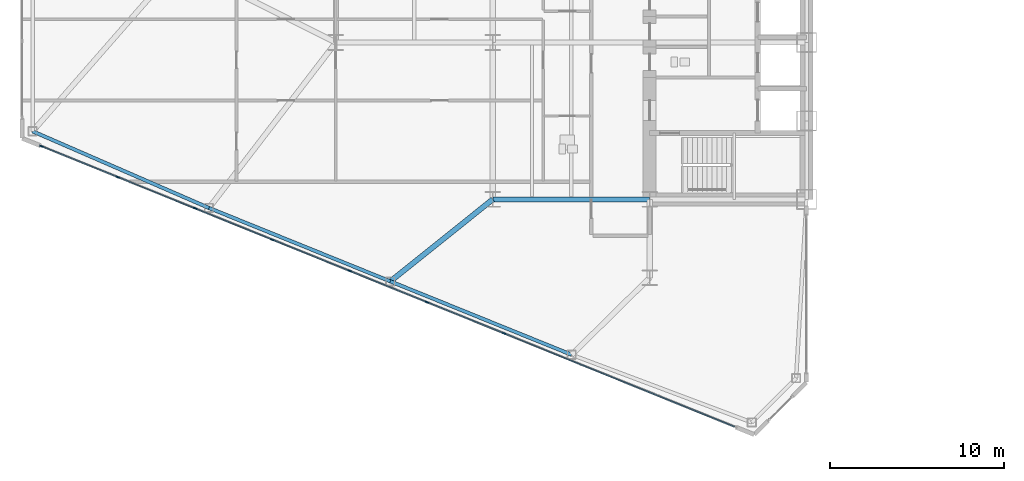
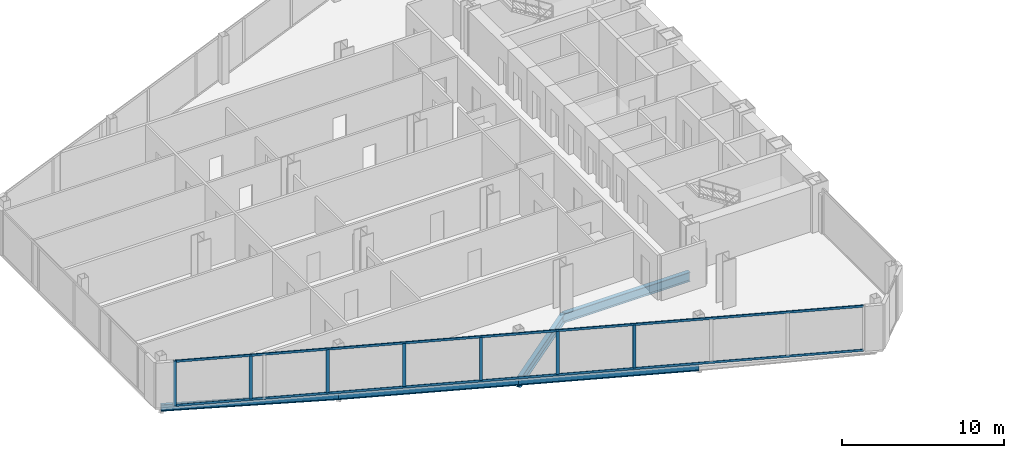
# One storey, part 3 of 25: 9 members, 5 beams, 1 element without a shape of its own.
"""IFC4 building model written with IfcOpenShell, lengths in metres."""

from ifc_helpers import new_model, si_unit, direction, frame, origin, origin_2d, place, context, subcontext, project, spatial, rectangle, i_section, extrude, source, transform, mapped, material, layer, layer_set, material_profile, profile_set, type_object, type_shapes, element, aggregate, save


model = new_model("IFC4")

# Units and contexts
model_context = context("Model", 3, precision=1e-05, world=origin(), true_north=direction((0.0, 1.0)))
body_context = subcontext(model_context, "Body", "Model", "MODEL_VIEW")
ifc_project = project(units=[si_unit("LENGTHUNIT", "METRE"), si_unit("AREAUNIT", "SQUARE_METRE"), si_unit("VOLUMEUNIT", "CUBIC_METRE"), si_unit("PLANEANGLEUNIT", "RADIAN"), si_unit("MASSUNIT", "GRAM", prefix="KILO")], contexts=[model_context])

# Site, building, storey
site_placement = place(None, origin())
site = spatial("IfcSite", under=ifc_project, at=site_placement, CompositionType="ELEMENT")
building_placement = place(site_placement, origin())
building = spatial("IfcBuilding", under=site, at=building_placement, Name="Seokmaru Belvedere", CompositionType="ELEMENT")
storey_placement = place(building_placement, frame((0.0, 0.0, 54.89990234375)))
storey = spatial("IfcBuildingStorey", under=building, at=storey_placement, Name="L14", CompositionType="ELEMENT", Elevation=54.89990234375)

# Beams
ifc_material_1 = material(Name="Steel SM355 (355 MPa)", Category="steel")
ifc_material_profile_1 = material_profile(ifc_material_1, i_section(OverallWidth=0.300048828125, OverallDepth=0.699951171875, WebThickness=0.012939453125, FlangeThickness=0.02392578125, at=origin_2d()), Name="H-700x300x13x24")
ifc_profile_set_1 = profile_set([ifc_material_profile_1], Name="Steel SM355 (355 MPa)")
beam_type_1 = type_object("IfcBeamType", Name="Primary Floor Girder H-700", PredefinedType="BEAM", material=ifc_profile_set_1)
shared_shape_1 = source(origin(), body_context, "Body", "SweptSolid", [
    extrude(i_section(OverallWidth=0.300048828125, OverallDepth=0.699951171875, WebThickness=0.012939453125, FlangeThickness=0.02392578125, at=origin_2d()), origin(), (0.0, 0.0, 1.0), 9.0),
])
beam_1_placement = place(storey_placement, frame((-45.5, -13.5, -0.56982421875), z_axis=(1.0, 0.0, 0.0), x_axis=(0.0, 1.0, 0.0)))
element("IfcBeam", 1, at=beam_1_placement, inside=storey, type_object=beam_type_1, Name="L14 W Wing Primary Girder 1", PredefinedType="BEAM", context=body_context, shape_type="MappedRepresentation", body=[
    mapped(shared_shape_1, transform((0.0, 0.0, 0.0), scale=1.0)),
])
ifc_material_profile_2 = material_profile(ifc_material_1, i_section(OverallWidth=0.199951171875, OverallDepth=0.5, WebThickness=0.010009765625, FlangeThickness=0.01611328125, at=origin_2d()), Name="H-500x200x10x16")
ifc_profile_set_2 = profile_set([ifc_material_profile_2], Name="Steel SM355 (355 MPa)")
beam_type_2 = type_object("IfcBeamType", Name="Perimeter Spandrel Beam H-500", PredefinedType="SPANDREL", material=ifc_profile_set_2)
shared_shape_2 = source(origin(), body_context, "Body", "SweptSolid", [
    extrude(i_section(OverallWidth=0.199951171875, OverallDepth=0.5, WebThickness=0.010009765625, FlangeThickness=0.01611328125, at=origin_2d()), origin(), (0.0, 0.0, 1.0), 11.220703125),
])
for number, where, z_axis, x_axis, name in (
    (2, (-40.977294921875, -22.4140625, -0.469970703125), (-0.926944290816, 0.375198989503, 0.0), (-0.375198989503, -0.926944290816, 0.0), "L14 W Faceted Flank Spandrel S-2"),
    (3, (-51.378173828125, -18.2041015625, -0.469970703125), (-0.926944290816, 0.375198989503, 0.0), (-0.375198989503, -0.926944290816, 0.0), "L14 W Faceted Flank Spandrel S-3"),
):
    element("IfcBeam", number, at=place(storey_placement, frame(where, z_axis=z_axis, x_axis=x_axis)), inside=storey, type_object=beam_type_2, Name=name, PredefinedType="SPANDREL", context=body_context, shape_type="MappedRepresentation", body=[
        mapped(shared_shape_2, transform((0.0, 0.0, 0.0), scale=1.0)),
    ])
shared_shape_3 = source(origin(), body_context, "Body", "SweptSolid", [
    extrude(i_section(OverallWidth=0.199951171875, OverallDepth=0.5, WebThickness=0.010009765625, FlangeThickness=0.01611328125, at=origin_2d()), origin(), (0.0, 0.0, 1.0), 11.035400390625),
])
type_shapes(beam_type_2, [shared_shape_2, shared_shape_3])
beam_2_placement = place(storey_placement, frame((-61.779052734375, -13.994140625, -0.469970703125), z_axis=(-0.917134058682, 0.398578873507, 0.0), x_axis=(-0.398578873507, -0.917134058682, 0.0)))
element("IfcBeam", 4, at=beam_2_placement, inside=storey, type_object=beam_type_2, Name="L14 W Faceted Flank Spandrel S-4", PredefinedType="SPANDREL", context=body_context, shape_type="MappedRepresentation", body=[
    mapped(shared_shape_3, transform((0.0, 0.0, 0.0), scale=1.0)),
])
shared_shape_4 = source(origin(), body_context, "Body", "SweptSolid", [
    extrude(i_section(OverallWidth=0.300048828125, OverallDepth=0.699951171875, WebThickness=0.012939453125, FlangeThickness=0.02392578125, at=origin_2d()), origin(), (0.0, 0.0, 1.0), 7.52880859375),
])
type_shapes(beam_type_1, [shared_shape_1, shared_shape_4])
beam_3_placement = place(storey_placement, frame((-51.378173828125, -18.2041015625, -0.56982421875), z_axis=(0.780767560736, 0.624821587418, 0.0), x_axis=(-0.624821587418, 0.780767560736, 0.0)))
element("IfcBeam", 5, at=beam_3_placement, inside=storey, type_object=beam_type_1, Name="L14 W Flank Radial Floor Girder S-2", PredefinedType="BEAM", context=body_context, shape_type="MappedRepresentation", body=[
    mapped(shared_shape_4, transform((0.0, 0.0, 0.0), scale=1.0)),
])

# Curtain wall, members
ifc_material_2 = material(Name="Bronze Triple Insulating Glass", Category="glass")
ifc_layer = layer(ifc_material_2, 0.2099609375)
ifc_layer_set = layer_set([ifc_layer], Name="Bronze Triple Insulating Glass")
curtain_wall_type = type_object("IfcCurtainWallType", Name="Low-Rise Faceted Crystal Curtain Wall System CW-2", PredefinedType="NOTDEFINED", material=ifc_layer_set)
curtain_wall_placement = place(storey_placement, origin())
curtain_wall = element("IfcCurtainWall", 6, at=curtain_wall_placement, inside=storey, type_object=curtain_wall_type, Name="L14 Curtain Wall WF5", PredefinedType="NOTDEFINED")
ifc_material_3 = material(Name="Anodised Bronze Aluminium", Category="aluminium")
ifc_material_profile_3 = material_profile(ifc_material_3, rectangle(XDim=0.074951171875, YDim=0.2099609375, at=origin_2d()), Name="CW-M-75x210")
ifc_profile_set_3 = profile_set([ifc_material_profile_3], Name="Anodised Bronze Aluminium")
member_type_1 = type_object("IfcMemberType", Name="Bronze Unitised Mullion 75x210", PredefinedType="MULLION", material=ifc_profile_set_3)
shared_shape_5 = source(origin(), body_context, "Body", "SweptSolid", [
    extrude(rectangle(XDim=0.074951171875, YDim=0.2099609375, at=origin_2d()), origin(), (0.0, 0.0, 1.0), 3.380126953125),
])
member_1_placement = place(storey_placement, frame((-71.399169921875, -10.445556640625, 0.0), z_axis=(0.0, 0.0, 1.0), x_axis=(0.375192321888, 0.926946989637, 0.0)))
member_1 = element("IfcMember", 7, at=member_1_placement, type_object=member_type_1, Name="CW:L14:WF5 Mullion 1", PredefinedType="MULLION", context=body_context, shape_type="MappedRepresentation", body=[
    mapped(shared_shape_5, transform((0.0, 0.0, 0.0), scale=1.0)),
])
shared_shape_6 = source(origin(), body_context, "Body", "SweptSolid", [
    extrude(rectangle(XDim=0.074951171875, YDim=0.2099609375, at=origin_2d()), origin(), (0.0, 0.0, 1.0), 3.239990234375),
])
type_shapes(member_type_1, [shared_shape_5, shared_shape_6])
member_2_placement = place(storey_placement, frame((-67.004150390625, -12.224609375, 0.070068359375), z_axis=(0.0, 0.0, 1.0), x_axis=(0.375192321888, 0.926946989637, 0.0)))
member_2 = element("IfcMember", 8, at=member_2_placement, type_object=member_type_1, Name="CW:L14:WF5 Mullion 2", PredefinedType="MULLION", context=body_context, shape_type="MappedRepresentation", body=[
    mapped(shared_shape_6, transform((0.0, 0.0, 0.0), scale=1.0)),
])
member_3_placement = place(storey_placement, frame((-62.574462890625, -14.017578125, 0.070068359375), z_axis=(0.0, 0.0, 1.0), x_axis=(0.375192321888, 0.926946989637, 0.0)))
member_3 = element("IfcMember", 9, at=member_3_placement, type_object=member_type_1, Name="CW:L14:WF5 Mullion 3", PredefinedType="MULLION", context=body_context, shape_type="MappedRepresentation", body=[
    mapped(shared_shape_6, transform((0.0, 0.0, 0.0), scale=1.0)),
])
member_4_placement = place(storey_placement, frame((-58.144775390625, -15.810546875, 0.070068359375), z_axis=(0.0, 0.0, 1.0), x_axis=(0.375192321888, 0.926946989637, 0.0)))
member_4 = element("IfcMember", 10, at=member_4_placement, type_object=member_type_1, Name="CW:L14:WF5 Mullion 4", PredefinedType="MULLION", context=body_context, shape_type="MappedRepresentation", body=[
    mapped(shared_shape_6, transform((0.0, 0.0, 0.0), scale=1.0)),
])
member_5_placement = place(storey_placement, frame((-53.71484375, -17.603515625, 0.070068359375), z_axis=(0.0, 0.0, 1.0), x_axis=(0.375192321888, 0.926946989637, 0.0)))
member_5 = element("IfcMember", 11, at=member_5_placement, type_object=member_type_1, Name="CW:L14:WF5 Mullion 5", PredefinedType="MULLION", context=body_context, shape_type="MappedRepresentation", body=[
    mapped(shared_shape_6, transform((0.0, 0.0, 0.0), scale=1.0)),
])
member_6_placement = place(storey_placement, frame((-49.28515625, -19.396484375, 0.070068359375), z_axis=(0.0, 0.0, 1.0), x_axis=(0.375192321888, 0.926946989637, 0.0)))
member_6 = element("IfcMember", 12, at=member_6_placement, type_object=member_type_1, Name="CW:L14:WF5 Mullion 6", PredefinedType="MULLION", context=body_context, shape_type="MappedRepresentation", body=[
    mapped(shared_shape_6, transform((0.0, 0.0, 0.0), scale=1.0)),
])
member_7_placement = place(storey_placement, frame((-44.855224609375, -21.189453125, 0.070068359375), z_axis=(0.0, 0.0, 1.0), x_axis=(0.375192321888, 0.926946989637, 0.0)))
member_7 = element("IfcMember", 13, at=member_7_placement, type_object=member_type_1, Name="CW:L14:WF5 Mullion 7", PredefinedType="MULLION", context=body_context, shape_type="MappedRepresentation", body=[
    mapped(shared_shape_6, transform((0.0, 0.0, 0.0), scale=1.0)),
])
ifc_material_profile_4 = material_profile(ifc_material_3, rectangle(XDim=0.070068359375, YDim=0.1650390625, at=origin_2d()), Name="CW-T-70x165")
ifc_profile_set_4 = profile_set([ifc_material_profile_4], Name="Anodised Bronze Aluminium")
member_type_2 = type_object("IfcMemberType", Name="Bronze Unitised Transom 70x165", PredefinedType="USERDEFINED", material=ifc_profile_set_4)
shared_shape_7 = source(origin(), body_context, "Body", "SweptSolid", [
    extrude(rectangle(XDim=0.070068359375, YDim=0.1650390625, at=origin_2d()), origin(), (0.0, 0.0, 1.0), 42.860107421875),
])
type_shapes(member_type_2, [shared_shape_7])
member_8_placement = place(storey_placement, frame((-71.364501953125, -10.459716796875, 0.03515625), z_axis=(0.926948605599, -0.375188329481, 0.0), x_axis=(0.375188329481, 0.926948605599, 0.0)))
member_8 = element("IfcMember", 14, at=member_8_placement, type_object=member_type_2, Name="CW:L14:WF5 Continuous Transom 1", ObjectType="TRANSOM", PredefinedType="USERDEFINED", context=body_context, shape_type="MappedRepresentation", body=[
    mapped(shared_shape_7, transform((0.0, 0.0, 0.0), scale=1.0)),
])
member_9_placement = place(storey_placement, frame((-71.364501953125, -10.459716796875, 3.34521484375), z_axis=(0.926948605599, -0.375188329481, 0.0), x_axis=(0.375188329481, 0.926948605599, 0.0)))
member_9 = element("IfcMember", 15, at=member_9_placement, type_object=member_type_2, Name="CW:L14:WF5 Continuous Transom 2", ObjectType="TRANSOM", PredefinedType="USERDEFINED", context=body_context, shape_type="MappedRepresentation", body=[
    mapped(shared_shape_7, transform((0.0, 0.0, 0.0), scale=1.0)),
])
aggregate(curtain_wall, [member_1, member_2, member_3, member_4, member_5, member_6, member_7, member_8, member_9])

save(model, "model.ifc")
